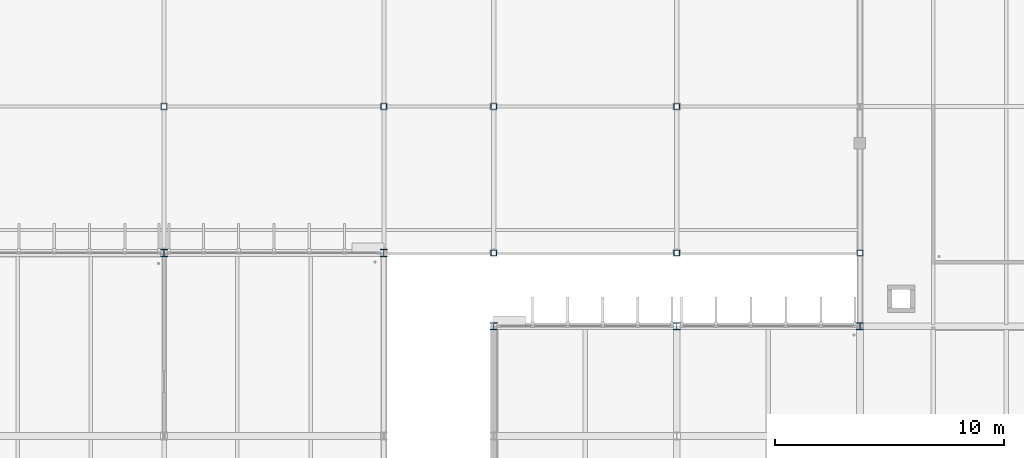
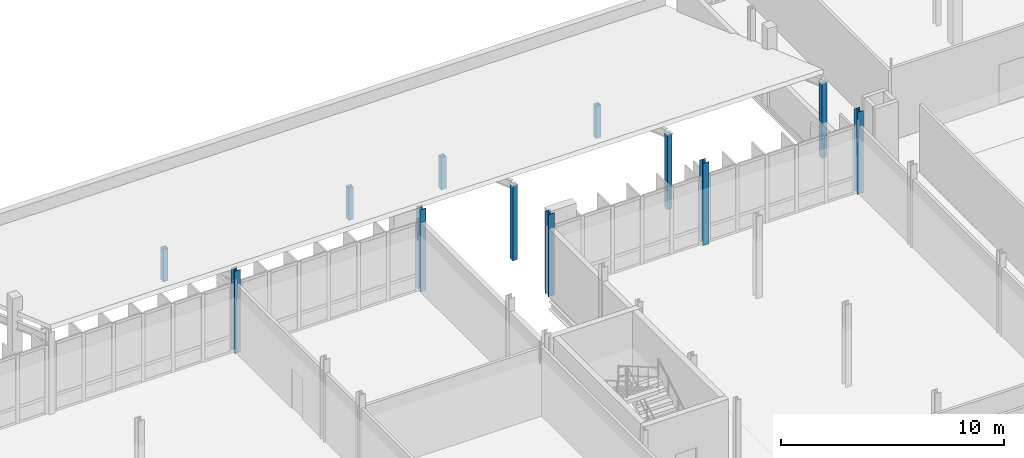
# One storey, part 8 of 107: 12 columns.
"""IFC4 building model written with IfcOpenShell, lengths in metres."""

import ifcopenshell
import ifcopenshell.guid

model = None  # the IFC model being written
_history = None  # IfcOwnerHistory: only IFC2X3 demands one
_inside = {}  # id of a spatial element -> (the spatial element, [elements in it])
_under = {}  # id of a project, library or spatial element -> (it, [spatial elements below it])
_declared = {}  # id of a project -> (the project, [libraries it declares])
_typed = {}  # id of a type object -> (the type object, [elements of that type])
_made_of = {}  # id of a material, layer set ... -> (it, [elements and type objects made of it])


def new_model(schema):
    """Start an empty IFC model of exactly this schema.

    Asked for "IFC4X3", IfcOpenShell would pick the latest addendum, in which some entities
    have other attributes; the version numbers below select the first issue.
    IFC2X3 requires an IfcOwnerHistory on every rooted entity: one is made here for all.
    """
    global model, _history
    if schema == "IFC4X3":
        model = ifcopenshell.file(schema_version=(4, 3, 0, 0))
    else:
        model = ifcopenshell.file(schema=schema)
    _inside.clear()
    _under.clear()
    _declared.clear()
    _typed.clear()
    _made_of.clear()
    _history = None
    if model.schema == "IFC2X3":
        org = make("IfcOrganization", Name="unknown")
        user = make(
            "IfcPersonAndOrganization",
            ThePerson=make("IfcPerson", FamilyName="unknown"),
            TheOrganization=org,
        )
        app = make(
            "IfcApplication",
            ApplicationDeveloper=org,
            Version="unknown",
            ApplicationFullName="unknown",
            ApplicationIdentifier="unknown",
        )
        _history = make(
            "IfcOwnerHistory",
            OwningUser=user,
            OwningApplication=app,
            ChangeAction="ADDED",
            CreationDate=0,
        )
    return model


def make(cls, **values):
    """One entity of the class cls with the attributes given. An attribute that is None is left unset."""
    return model.create_entity(
        cls, **{name: value for name, value in values.items() if value is not None}
    )


def rooted(cls, **values):
    """An entity with a GlobalId (a new one), such as an element, a storey or a relation."""
    return make(cls, GlobalId=ifcopenshell.guid.new(), OwnerHistory=_history, **values)


def si_unit(unit_type, name, prefix=None):
    """IfcSIUnit, for example si_unit("LENGTHUNIT", "METRE", prefix="MILLI")."""
    return make("IfcSIUnit", UnitType=unit_type, Prefix=prefix, Name=name)


def assignment(units):
    """IfcUnitAssignment: the units of a project."""
    return None if units is None else make("IfcUnitAssignment", Units=units)


def point(xyz):
    """IfcCartesianPoint."""
    return None if xyz is None else make("IfcCartesianPoint", Coordinates=xyz)


def direction(xyz):
    """IfcDirection."""
    return None if xyz is None else make("IfcDirection", DirectionRatios=xyz)


def frame(location, z_axis=None, x_axis=None):
    """IfcAxis2Placement3D, a coordinate frame: its origin and axes. An axis left out is left unset."""
    return make(
        "IfcAxis2Placement3D",
        Location=point(location),
        Axis=direction(z_axis),
        RefDirection=direction(x_axis),
    )


def frame_2d(location, x_axis=None):
    """IfcAxis2Placement2D, a coordinate frame in the plane: its origin and x axis."""
    return make(
        "IfcAxis2Placement2D", Location=point(location), RefDirection=direction(x_axis)
    )


def origin():
    """The frame at (0, 0, 0) with its axes left unset."""
    return frame((0.0, 0.0, 0.0))


def origin_2d():
    """The frame at (0, 0) in the plane with its x axis left unset."""
    return frame_2d((0.0, 0.0))


def place(relative_to, where):
    """IfcLocalPlacement: puts the frame where relative to a parent placement (None: the world)."""
    return make(
        "IfcLocalPlacement", PlacementRelTo=relative_to, RelativePlacement=where
    )


def context(
    kind, dimensions, precision=None, world=None, true_north=None, identifier=None
):
    """IfcGeometricRepresentationContext, for example the 3D "Model" context."""
    return make(
        "IfcGeometricRepresentationContext",
        ContextIdentifier=identifier,
        ContextType=kind,
        CoordinateSpaceDimension=dimensions,
        Precision=precision,
        WorldCoordinateSystem=world,
        TrueNorth=true_north,
    )


def subcontext(parent, identifier, kind, view, scale=None):
    """IfcGeometricRepresentationSubContext, for example "Body" below "Model"."""
    return make(
        "IfcGeometricRepresentationSubContext",
        ContextIdentifier=identifier,
        ContextType=kind,
        ParentContext=parent,
        TargetScale=scale,
        TargetView=view,
    )


def project(units=None, contexts=None):
    """IfcProject with its units and contexts."""
    return rooted(
        "IfcProject",
        Name="project",
        RepresentationContexts=contexts,
        UnitsInContext=assignment(units),
    )


def spatial(cls, under=None, at=None, **own):
    """A site, building, storey or space (cls), placed at a placement, below another one or the project."""
    s = rooted(cls, ObjectPlacement=at, **own)
    if under is not None:
        _under.setdefault(under.id(), (under, []))[1].append(s)
    return s


def profile(cls, at=None, kind="AREA", **sizes):
    """A parametric profile (cls). Its sizes go by their IFC names, for example OverallWidth=200.0."""
    return make(cls, ProfileType=kind, Position=at, **sizes)


def hollow_rectangle(**sizes):
    """IfcRectangleHollowProfileDef."""
    return profile("IfcRectangleHollowProfileDef", **sizes)


def i_section(**sizes):
    """IfcIShapeProfileDef."""
    return profile("IfcIShapeProfileDef", **sizes)


def extrude(swept, where, along, depth):
    """IfcExtrudedAreaSolid: the profile swept, set in the frame where, extruded along a direction by depth."""
    return make(
        "IfcExtrudedAreaSolid",
        SweptArea=swept,
        Position=where,
        ExtrudedDirection=direction(along),
        Depth=depth,
    )


def shape(context_of_items, identifier, shape_type, items):
    """IfcShapeRepresentation: the items that make up one representation, for example the "Body"."""
    return make(
        "IfcShapeRepresentation",
        ContextOfItems=context_of_items,
        RepresentationIdentifier=identifier,
        RepresentationType=shape_type,
        Items=items,
    )


def material(Name=None, Category=None):
    """IfcMaterial."""
    return make("IfcMaterial", Name=Name, Category=Category)


def material_profile(
    of_material, cross_section, Name=None, Category=None, Priority=None
):
    """IfcMaterialProfile: a cross section and its material."""
    return make(
        "IfcMaterialProfile",
        Name=Name,
        Material=of_material,
        Profile=cross_section,
        Priority=Priority,
        Category=Category,
    )


def profile_set(profiles, Name=None, composite=None):
    """IfcMaterialProfileSet."""
    return make(
        "IfcMaterialProfileSet",
        Name=Name,
        MaterialProfiles=profiles,
        CompositeProfile=composite,
    )


def made_of(thing, what):
    """Note that an element or type object is made of a material, layer set ...; save() writes the relation."""
    if what is not None:
        _made_of.setdefault(what.id(), (what, []))[1].append(thing)
    return thing


def type_object(cls, material=None, **own):
    """A type object (cls), such as IfcWallType, which elements share."""
    return made_of(rooted(cls, **own), material)


def element(
    cls,
    number,
    at=None,
    inside=None,
    cuts=None,
    type_object=None,
    material=None,
    context=None,
    identifier="Body",
    shape_type=None,
    held_by="IfcProductDefinitionShape",
    body=None,
    shapes=None,
    **own,
):
    """One element of the class cls, such as IfcWall. Its Tag is "e" and its number.

    at: its placement. inside: the storey or other place that contains it. cuts: it is an
    opening in that element (IfcRelVoidsElement). A single representation is given by context,
    identifier, shape_type and body (its items); several are given by shapes. held_by: the class
    of the entity that holds the representations. save() writes the other relations.
    """
    e = rooted(cls, Tag="e%d" % number, ObjectPlacement=at, **own)
    if body is not None:
        shapes = [shape(context, identifier, shape_type, body)]
    if shapes is not None:
        e.Representation = make(held_by, Representations=shapes)
    if inside is not None:
        _inside.setdefault(inside.id(), (inside, []))[1].append(e)
    if cuts is not None:
        rooted(
            "IfcRelVoidsElement", RelatingBuildingElement=cuts, RelatedOpeningElement=e
        )
    if type_object is not None:
        _typed.setdefault(type_object.id(), (type_object, []))[1].append(e)
    return made_of(e, material)


def aggregate(whole, parts):
    """IfcRelAggregates: a whole, such as a stair, and the parts it consists of."""
    return rooted("IfcRelAggregates", RelatingObject=whole, RelatedObjects=parts)


def save(model, path):
    """Write the relations noted so far, then the file.

    IfcRelAggregates (storeys below a building ...), IfcRelContainedInSpatialStructure (elements
    in a storey), IfcRelDefinesByType, IfcRelAssociatesMaterial and IfcRelDeclares: one each for
    every whole, place, type object, material and project.
    """
    for whole, parts in _under.values():
        aggregate(whole, parts)
    for where, things in _inside.values():
        rooted(
            "IfcRelContainedInSpatialStructure",
            RelatedElements=things,
            RelatingStructure=where,
        )
    for kind, things in _typed.values():
        rooted("IfcRelDefinesByType", RelatedObjects=things, RelatingType=kind)
    for what, things in _made_of.values():
        rooted("IfcRelAssociatesMaterial", RelatedObjects=things, RelatingMaterial=what)
    for by, libraries in _declared.values():
        rooted("IfcRelDeclares", RelatingContext=by, RelatedDefinitions=libraries)
    model.write(path)


model = new_model("IFC4")

# Units and contexts
model_context = context("Model", 3, precision=1e-05, world=origin(), true_north=direction((0.0, 1.0)))
body_context = subcontext(model_context, "Body", "Model", "MODEL_VIEW")
ifc_project = project(units=[si_unit("LENGTHUNIT", "METRE"), si_unit("AREAUNIT", "SQUARE_METRE"), si_unit("VOLUMEUNIT", "CUBIC_METRE"), si_unit("PLANEANGLEUNIT", "RADIAN"), si_unit("MASSUNIT", "GRAM", prefix="KILO")], contexts=[model_context])

# Site, building, storey
site_placement = place(None, origin())
site = spatial("IfcSite", under=ifc_project, at=site_placement, CompositionType="ELEMENT")
building_placement = place(site_placement, origin())
building = spatial("IfcBuilding", under=site, at=building_placement, Name="Dunescarp Central Library", CompositionType="ELEMENT")
storey_placement = place(building_placement, frame((0.0, 0.0, 5.10009765625)))
storey = spatial("IfcBuildingStorey", under=building, at=storey_placement, Name="L01", CompositionType="ELEMENT", Elevation=5.10009765625)

# Columns
ifc_material_1 = material(Name="Steel S355J0", Category="steel")
ifc_material_profile_1 = material_profile(ifc_material_1, hollow_rectangle(XDim=0.25, YDim=0.25, WallThickness=0.010009765625, at=origin_2d()), Name="SHS 250x250x10")
ifc_profile_set_1 = profile_set([ifc_material_profile_1], Name="Steel S355J0")
column_type_1 = type_object("IfcColumnType", Name="STR-COL-SHS250", PredefinedType="COLUMN", material=ifc_profile_set_1)
for number, where, z_axis, x_axis, name in (
    (1, (67.199951171875, 43.199951171875, 0.0), (0.0, 0.0, 1.0), (1.0, 0.0, 0.0), "L01 column CLN-672-432"),
    (2, (76.800048828125, 43.199951171875, 0.0), (0.0, 0.0, 1.0), (1.0, 0.0, 0.0), "L01 column CLN-768-432"),
):
    element("IfcColumn", number, at=place(storey_placement, frame(where, z_axis=z_axis, x_axis=x_axis)), inside=storey, type_object=column_type_1, Name=name, PredefinedType="COLUMN", context=body_context, shape_type="SweptSolid", body=[
        extrude(hollow_rectangle(XDim=0.25, YDim=0.25, WallThickness=0.010009765625, at=origin_2d()), origin(), (0.0, 0.0, 1.0), 1.77587890625),
    ])
column_1_placement = place(storey_placement, frame((81.60009765625, 36.800048828125, 0.0), z_axis=(0.0, 0.0, 1.0), x_axis=(1.0, 0.0, 0.0)))
element("IfcColumn", 3, at=column_1_placement, inside=storey, type_object=column_type_1, Name="L01 column CLN-816-368", PredefinedType="COLUMN", context=body_context, shape_type="SweptSolid", body=[
    extrude(hollow_rectangle(XDim=0.25, YDim=0.25, WallThickness=0.010009765625, at=origin_2d()), origin(), (0.0, 0.0, 1.0), 4.06591796875),
])
column_2_placement = place(storey_placement, frame((81.60009765625, 43.199951171875, 0.0), z_axis=(0.0, 0.0, 1.0), x_axis=(1.0, 0.0, 0.0)))
element("IfcColumn", 4, at=column_2_placement, inside=storey, type_object=column_type_1, Name="L01 column CLN-816-432", PredefinedType="COLUMN", context=body_context, shape_type="SweptSolid", body=[
    extrude(hollow_rectangle(XDim=0.25, YDim=0.25, WallThickness=0.010009765625, at=origin_2d()), origin(), (0.0, 0.0, 1.0), 1.77587890625),
])
column_3_placement = place(storey_placement, frame((89.60009765625, 36.800048828125, 0.0), z_axis=(0.0, 0.0, 1.0), x_axis=(1.0, 0.0, 0.0)))
element("IfcColumn", 5, at=column_3_placement, inside=storey, type_object=column_type_1, Name="L01 column CLN-896-368", PredefinedType="COLUMN", context=body_context, shape_type="SweptSolid", body=[
    extrude(hollow_rectangle(XDim=0.25, YDim=0.25, WallThickness=0.010009765625, at=origin_2d()), origin(), (0.0, 0.0, 1.0), 4.06591796875),
])
column_4_placement = place(storey_placement, frame((89.60009765625, 43.199951171875, 0.0), z_axis=(0.0, 0.0, 1.0), x_axis=(1.0, 0.0, 0.0)))
element("IfcColumn", 6, at=column_4_placement, inside=storey, type_object=column_type_1, Name="L01 column CLN-896-432", PredefinedType="COLUMN", context=body_context, shape_type="SweptSolid", body=[
    extrude(hollow_rectangle(XDim=0.25, YDim=0.25, WallThickness=0.010009765625, at=origin_2d()), origin(), (0.0, 0.0, 1.0), 1.77587890625),
])
column_5_placement = place(storey_placement, frame((97.60009765625, 36.800048828125, 0.0), z_axis=(0.0, 0.0, 1.0), x_axis=(1.0, 0.0, 0.0)))
element("IfcColumn", 7, at=column_5_placement, inside=storey, type_object=column_type_1, Name="L01 column CLN-976-368", PredefinedType="COLUMN", context=body_context, shape_type="SweptSolid", body=[
    extrude(hollow_rectangle(XDim=0.25, YDim=0.25, WallThickness=0.010009765625, at=origin_2d()), origin(), (0.0, 0.0, 1.0), 4.06591796875),
])
ifc_material_2 = material(Name="Steel S355JR", Category="steel")
ifc_material_profile_2 = material_profile(ifc_material_2, i_section(OverallWidth=0.30908203125, OverallDepth=0.320556640625, WebThickness=0.013916015625, FlangeThickness=0.021728515625, at=origin_2d()), Name="UC 305x305x137")
ifc_profile_set_2 = profile_set([ifc_material_profile_2], Name="Steel S355JR")
column_type_2 = type_object("IfcColumnType", Name="STR-COL-UC305X137", PredefinedType="COLUMN", material=ifc_profile_set_2)
for number, where, z_axis, x_axis, name in (
    (8, (67.199951171875, 36.800048828125, 0.0), (0.0, 0.0, 1.0), (1.0, 0.0, 0.0), "L01 column V2-672-368"),
    (9, (76.800048828125, 36.800048828125, 0.0), (0.0, 0.0, 1.0), (1.0, 0.0, 0.0), "L01 column V2-768-368"),
    (10, (81.60009765625, 33.60009765625, 0.0), (0.0, 0.0, 1.0), (1.0, 0.0, 0.0), "L01 column V3-816-336"),
    (11, (89.60009765625, 33.60009765625, 0.0), (0.0, 0.0, 1.0), (1.0, 0.0, 0.0), "L01 column V3-896-336"),
    (12, (97.60009765625, 33.60009765625, 0.0), (0.0, 0.0, 1.0), (1.0, 0.0, 0.0), "L01 column V3-976-336"),
):
    element("IfcColumn", number, at=place(storey_placement, frame(where, z_axis=z_axis, x_axis=x_axis)), inside=storey, type_object=column_type_2, Name=name, PredefinedType="COLUMN", context=body_context, shape_type="SweptSolid", body=[
        extrude(i_section(OverallWidth=0.30908203125, OverallDepth=0.320556640625, WebThickness=0.013916015625, FlangeThickness=0.021728515625, at=origin_2d()), origin(), (0.0, 0.0, 1.0), 4.5),
    ])

save(model, "model.ifc")
